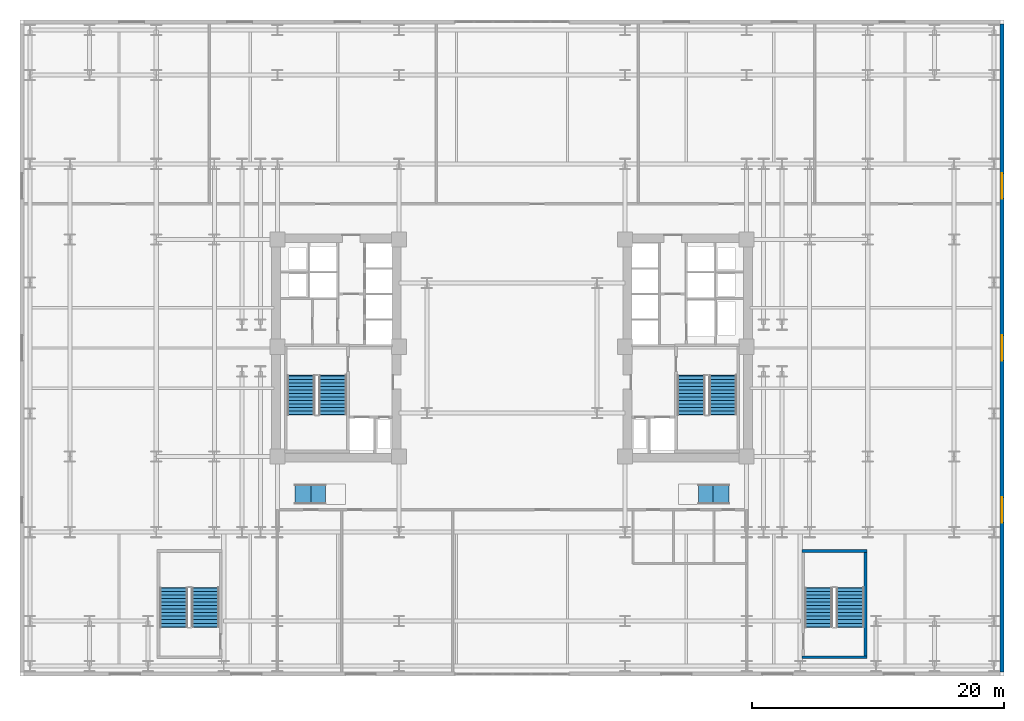
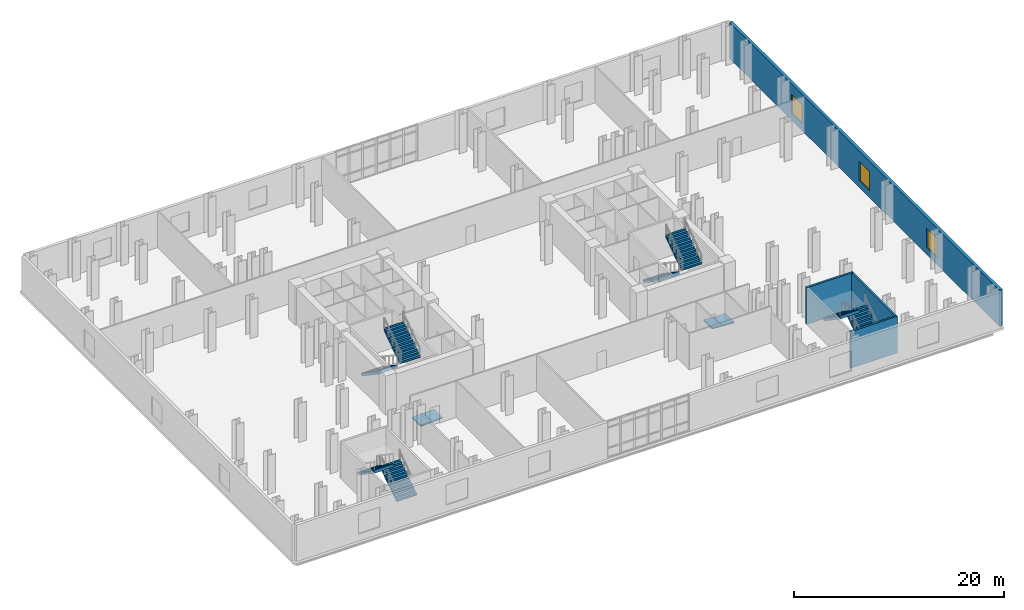
# One storey, part 11 of 13: 8 stair flights, 4 walls, 3 windows, 2 ramps, 2 ramp flights, 3 openings, 4 elements without a shape of their own.
"""IFC4 building model written with IfcOpenShell, lengths in metres."""

import ifcopenshell
import ifcopenshell.guid

model = None  # the IFC model being written
_history = None  # IfcOwnerHistory: only IFC2X3 demands one
_inside = {}  # id of a spatial element -> (the spatial element, [elements in it])
_under = {}  # id of a project, library or spatial element -> (it, [spatial elements below it])
_declared = {}  # id of a project -> (the project, [libraries it declares])
_typed = {}  # id of a type object -> (the type object, [elements of that type])
_made_of = {}  # id of a material, layer set ... -> (it, [elements and type objects made of it])


def new_model(schema):
    """Start an empty IFC model of exactly this schema.

    Asked for "IFC4X3", IfcOpenShell would pick the latest addendum, in which some entities
    have other attributes; the version numbers below select the first issue.
    IFC2X3 requires an IfcOwnerHistory on every rooted entity: one is made here for all.
    """
    global model, _history
    if schema == "IFC4X3":
        model = ifcopenshell.file(schema_version=(4, 3, 0, 0))
    else:
        model = ifcopenshell.file(schema=schema)
    _inside.clear()
    _under.clear()
    _declared.clear()
    _typed.clear()
    _made_of.clear()
    _history = None
    if model.schema == "IFC2X3":
        org = make("IfcOrganization", Name="unknown")
        user = make(
            "IfcPersonAndOrganization",
            ThePerson=make("IfcPerson", FamilyName="unknown"),
            TheOrganization=org,
        )
        app = make(
            "IfcApplication",
            ApplicationDeveloper=org,
            Version="unknown",
            ApplicationFullName="unknown",
            ApplicationIdentifier="unknown",
        )
        _history = make(
            "IfcOwnerHistory",
            OwningUser=user,
            OwningApplication=app,
            ChangeAction="ADDED",
            CreationDate=0,
        )
    return model


def make(cls, **values):
    """One entity of the class cls with the attributes given. An attribute that is None is left unset."""
    return model.create_entity(
        cls, **{name: value for name, value in values.items() if value is not None}
    )


def rooted(cls, **values):
    """An entity with a GlobalId (a new one), such as an element, a storey or a relation."""
    return make(cls, GlobalId=ifcopenshell.guid.new(), OwnerHistory=_history, **values)


def si_unit(unit_type, name, prefix=None):
    """IfcSIUnit, for example si_unit("LENGTHUNIT", "METRE", prefix="MILLI")."""
    return make("IfcSIUnit", UnitType=unit_type, Prefix=prefix, Name=name)


def assignment(units):
    """IfcUnitAssignment: the units of a project."""
    return None if units is None else make("IfcUnitAssignment", Units=units)


def point(xyz):
    """IfcCartesianPoint."""
    return None if xyz is None else make("IfcCartesianPoint", Coordinates=xyz)


def direction(xyz):
    """IfcDirection."""
    return None if xyz is None else make("IfcDirection", DirectionRatios=xyz)


def frame(location, z_axis=None, x_axis=None):
    """IfcAxis2Placement3D, a coordinate frame: its origin and axes. An axis left out is left unset."""
    return make(
        "IfcAxis2Placement3D",
        Location=point(location),
        Axis=direction(z_axis),
        RefDirection=direction(x_axis),
    )


def frame_2d(location, x_axis=None):
    """IfcAxis2Placement2D, a coordinate frame in the plane: its origin and x axis."""
    return make(
        "IfcAxis2Placement2D", Location=point(location), RefDirection=direction(x_axis)
    )


def origin():
    """The frame at (0, 0, 0) with its axes left unset."""
    return frame((0.0, 0.0, 0.0))


def origin_2d():
    """The frame at (0, 0) in the plane with its x axis left unset."""
    return frame_2d((0.0, 0.0))


def place(relative_to, where):
    """IfcLocalPlacement: puts the frame where relative to a parent placement (None: the world)."""
    return make(
        "IfcLocalPlacement", PlacementRelTo=relative_to, RelativePlacement=where
    )


def context(
    kind, dimensions, precision=None, world=None, true_north=None, identifier=None
):
    """IfcGeometricRepresentationContext, for example the 3D "Model" context."""
    return make(
        "IfcGeometricRepresentationContext",
        ContextIdentifier=identifier,
        ContextType=kind,
        CoordinateSpaceDimension=dimensions,
        Precision=precision,
        WorldCoordinateSystem=world,
        TrueNorth=true_north,
    )


def subcontext(parent, identifier, kind, view, scale=None):
    """IfcGeometricRepresentationSubContext, for example "Body" below "Model"."""
    return make(
        "IfcGeometricRepresentationSubContext",
        ContextIdentifier=identifier,
        ContextType=kind,
        ParentContext=parent,
        TargetScale=scale,
        TargetView=view,
    )


def project(units=None, contexts=None):
    """IfcProject with its units and contexts."""
    return rooted(
        "IfcProject",
        Name="project",
        RepresentationContexts=contexts,
        UnitsInContext=assignment(units),
    )


def spatial(cls, under=None, at=None, **own):
    """A site, building, storey or space (cls), placed at a placement, below another one or the project."""
    s = rooted(cls, ObjectPlacement=at, **own)
    if under is not None:
        _under.setdefault(under.id(), (under, []))[1].append(s)
    return s


def polyline(points):
    """IfcPolyline through the points."""
    return make("IfcPolyline", Points=[point(p) for p in points])


def profile(cls, at=None, kind="AREA", **sizes):
    """A parametric profile (cls). Its sizes go by their IFC names, for example OverallWidth=200.0."""
    return make(cls, ProfileType=kind, Position=at, **sizes)


def rectangle(**sizes):
    """IfcRectangleProfileDef."""
    return profile("IfcRectangleProfileDef", **sizes)


def outline(outer, holes=None, kind="AREA"):
    """IfcArbitraryClosedProfileDef: a profile drawn as a closed curve; with holes, ...WithVoids."""
    if holes is None:
        return make("IfcArbitraryClosedProfileDef", ProfileType=kind, OuterCurve=outer)
    return make(
        "IfcArbitraryProfileDefWithVoids",
        ProfileType=kind,
        OuterCurve=outer,
        InnerCurves=holes,
    )


def extrude(swept, where, along, depth):
    """IfcExtrudedAreaSolid: the profile swept, set in the frame where, extruded along a direction by depth."""
    return make(
        "IfcExtrudedAreaSolid",
        SweptArea=swept,
        Position=where,
        ExtrudedDirection=direction(along),
        Depth=depth,
    )


def shape(context_of_items, identifier, shape_type, items):
    """IfcShapeRepresentation: the items that make up one representation, for example the "Body"."""
    return make(
        "IfcShapeRepresentation",
        ContextOfItems=context_of_items,
        RepresentationIdentifier=identifier,
        RepresentationType=shape_type,
        Items=items,
    )


def material(Name=None, Category=None):
    """IfcMaterial."""
    return make("IfcMaterial", Name=Name, Category=Category)


def layer(
    of_material, thickness, ventilated=None, Name=None, Category=None, Priority=None
):
    """IfcMaterialLayer: one layer of a wall or slab, of a material (None: an air gap)."""
    return make(
        "IfcMaterialLayer",
        Material=of_material,
        LayerThickness=thickness,
        IsVentilated=ventilated,
        Name=Name,
        Category=Category,
        Priority=Priority,
    )


def layer_set(layers, Name=None):
    """IfcMaterialLayerSet."""
    return make("IfcMaterialLayerSet", MaterialLayers=layers, LayerSetName=Name)


def made_of(thing, what):
    """Note that an element or type object is made of a material, layer set ...; save() writes the relation."""
    if what is not None:
        _made_of.setdefault(what.id(), (what, []))[1].append(thing)
    return thing


def type_object(cls, material=None, **own):
    """A type object (cls), such as IfcWallType, which elements share."""
    return made_of(rooted(cls, **own), material)


def element(
    cls,
    number,
    at=None,
    inside=None,
    cuts=None,
    type_object=None,
    material=None,
    context=None,
    identifier="Body",
    shape_type=None,
    held_by="IfcProductDefinitionShape",
    body=None,
    shapes=None,
    **own,
):
    """One element of the class cls, such as IfcWall. Its Tag is "e" and its number.

    at: its placement. inside: the storey or other place that contains it. cuts: it is an
    opening in that element (IfcRelVoidsElement). A single representation is given by context,
    identifier, shape_type and body (its items); several are given by shapes. held_by: the class
    of the entity that holds the representations. save() writes the other relations.
    """
    e = rooted(cls, Tag="e%d" % number, ObjectPlacement=at, **own)
    if body is not None:
        shapes = [shape(context, identifier, shape_type, body)]
    if shapes is not None:
        e.Representation = make(held_by, Representations=shapes)
    if inside is not None:
        _inside.setdefault(inside.id(), (inside, []))[1].append(e)
    if cuts is not None:
        rooted(
            "IfcRelVoidsElement", RelatingBuildingElement=cuts, RelatedOpeningElement=e
        )
    if type_object is not None:
        _typed.setdefault(type_object.id(), (type_object, []))[1].append(e)
    return made_of(e, material)


def fill(opening, filler):
    """IfcRelFillsElement: the door or window that sits in an opening."""
    return rooted(
        "IfcRelFillsElement",
        RelatingOpeningElement=opening,
        RelatedBuildingElement=filler,
    )


def aggregate(whole, parts):
    """IfcRelAggregates: a whole, such as a stair, and the parts it consists of."""
    return rooted("IfcRelAggregates", RelatingObject=whole, RelatedObjects=parts)


def save(model, path):
    """Write the relations noted so far, then the file.

    IfcRelAggregates (storeys below a building ...), IfcRelContainedInSpatialStructure (elements
    in a storey), IfcRelDefinesByType, IfcRelAssociatesMaterial and IfcRelDeclares: one each for
    every whole, place, type object, material and project.
    """
    for whole, parts in _under.values():
        aggregate(whole, parts)
    for where, things in _inside.values():
        rooted(
            "IfcRelContainedInSpatialStructure",
            RelatedElements=things,
            RelatingStructure=where,
        )
    for kind, things in _typed.values():
        rooted("IfcRelDefinesByType", RelatedObjects=things, RelatingType=kind)
    for what, things in _made_of.values():
        rooted("IfcRelAssociatesMaterial", RelatedObjects=things, RelatingMaterial=what)
    for by, libraries in _declared.values():
        rooted("IfcRelDeclares", RelatingContext=by, RelatedDefinitions=libraries)
    model.write(path)


model = new_model("IFC4")

# Units and contexts
model_context = context("Model", 3, precision=1e-05, world=origin(), true_north=direction((0.0, 1.0)))
body_context = subcontext(model_context, "Body", "Model", "MODEL_VIEW")
ifc_project = project(units=[si_unit("LENGTHUNIT", "METRE"), si_unit("AREAUNIT", "SQUARE_METRE"), si_unit("VOLUMEUNIT", "CUBIC_METRE"), si_unit("PLANEANGLEUNIT", "RADIAN"), si_unit("MASSUNIT", "GRAM", prefix="KILO")], contexts=[model_context])

# Site, building, storey
site_placement = place(None, origin())
site = spatial("IfcSite", under=ifc_project, at=site_placement, CompositionType="ELEMENT")
building_placement = place(site_placement, origin())
building = spatial("IfcBuilding", under=site, at=building_placement, Name="Velakula Bourse", CompositionType="ELEMENT")
storey_placement = place(building_placement, frame((0.0, 0.0, 5.10009765625)))
storey = spatial("IfcBuildingStorey", under=building, at=storey_placement, Name="L01", CompositionType="ELEMENT", Elevation=5.10009765625)

# Walls
ifc_material_1 = material(Name="Concrete M50 (fck 50 MPa)", Category="concrete")
ifc_layer_1 = layer(ifc_material_1, 0.2099609375, Name="Concrete M50 (fck 50 MPa)", Category="concrete")
ifc_layer_set_1 = layer_set([ifc_layer_1], Name="Concrete M50 (fck 50 MPa)")
wall_type_1 = type_object("IfcWallType", Name="WL-CORE-210", PredefinedType="SHEAR", material=ifc_layer_set_1)
for number, where, z_axis, x_axis, name in (
    (1, (22.989990234375, -24.5048828125, 0.0), (0.0, 0.0, 1.0), (1.0, 0.0, 0.0), "L01 Podium Stair ST-P2 Shear Wall S"),
    (2, (22.989990234375, -16.094970703125, 0.0), (0.0, 0.0, 1.0), (1.0, 0.0, 0.0), "L01 Podium Stair ST-P2 Shear Wall N"),
):
    element("IfcWall", number, at=place(storey_placement, frame(where, z_axis=z_axis, x_axis=x_axis)), inside=storey, type_object=wall_type_1, Name=name, PredefinedType="SHEAR", context=body_context, shape_type="SweptSolid", body=[
        extrude(rectangle(XDim=5.139892578125, YDim=0.2099609375, at=frame_2d((2.56982421875, 0.0))), origin(), (0.0, 0.0, 1.0), 4.25),
    ])
wall_1_placement = place(storey_placement, frame((28.02490234375, -24.39990234375, 0.0), z_axis=(0.0, 0.0, 1.0), x_axis=(0.0, 1.0, 0.0)))
element("IfcWall", 3, at=wall_1_placement, inside=storey, type_object=wall_type_1, Name="L01 Podium Stair ST-P2 Shear Wall E", PredefinedType="SHEAR", context=body_context, shape_type="SweptSolid", body=[
    extrude(rectangle(XDim=8.199951171875, YDim=0.2099609375, at=frame_2d((4.10009765625, 0.0))), origin(), (0.0, 0.0, 1.0), 4.25),
])

# Wall, openings, windows
ifc_material_2 = material(Name="Red kilned clay facing brick masonry", Category="masonry")
ifc_layer_2 = layer(ifc_material_2, 0.320068359375, Name="Red kilned clay facing brick masonry", Category="masonry")
ifc_layer_set_2 = layer_set([ifc_layer_2], Name="Red kilned clay facing brick masonry")
wall_type_2 = type_object("IfcWallType", Name="WL-EXT-BRK-320", PredefinedType="STANDARD", material=ifc_layer_set_2)
wall_2_placement = place(storey_placement, frame((38.840087890625, 25.679931640625, 0.0), z_axis=(0.0, 0.0, 1.0), x_axis=(0.0, -1.0, 0.0)))
wall_2 = element("IfcWall", 4, at=wall_2_placement, inside=storey, type_object=wall_type_2, Name="L01 E Brick Facade Wall", PredefinedType="STANDARD", context=body_context, shape_type="SweptSolid", body=[
    extrude(rectangle(XDim=51.35986328125, YDim=0.320068359375, at=frame_2d((25.679931640625, 0.0))), origin(), (0.0, 0.0, 1.0), 4.22998046875),
])
opening_1_placement = place(wall_2_placement, frame((11.840087890625, 0.0, 0.800048828125)))
opening_1 = element("IfcOpeningElement", 5, at=opening_1_placement, cuts=wall_2, Name="Opening W-07", PredefinedType="OPENING", context=body_context, shape_type="SweptSolid", body=[
    extrude(rectangle(XDim=2.0, YDim=2.199951171875, at=frame_2d((1.0, 1.10009765625))), frame((0.0, 0.169921875, 0.0), z_axis=(0.0, -1.0, 0.0), x_axis=(1.0, 0.0, 0.0)), (0.0, 0.0, 1.0), 0.340087890625),
])
opening_2_placement = place(wall_2_placement, frame((24.679931640625, 0.0, 0.800048828125)))
opening_2 = element("IfcOpeningElement", 6, at=opening_2_placement, cuts=wall_2, Name="Opening W-07", PredefinedType="OPENING", context=body_context, shape_type="SweptSolid", body=[
    extrude(rectangle(XDim=2.0, YDim=2.199951171875, at=frame_2d((1.0, 1.10009765625))), frame((0.0, 0.169921875, 0.0), z_axis=(0.0, -1.0, 0.0), x_axis=(1.0, 0.0, 0.0)), (0.0, 0.0, 1.0), 0.340087890625),
])
opening_3_placement = place(wall_2_placement, frame((37.52001953125, 0.0, 0.800048828125)))
opening_3 = element("IfcOpeningElement", 7, at=opening_3_placement, cuts=wall_2, Name="Opening W-07", PredefinedType="OPENING", context=body_context, shape_type="SweptSolid", body=[
    extrude(rectangle(XDim=2.0, YDim=2.199951171875, at=frame_2d((1.0, 1.10009765625))), frame((0.0, 0.169921875, 0.0), z_axis=(0.0, -1.0, 0.0), x_axis=(1.0, 0.0, 0.0)), (0.0, 0.0, 1.0), 0.340087890625),
])
ifc_material_3 = material(Name="Double-glazed solar-control Low-E glass", Category="glass")
window_type = type_object("IfcWindowType", Name="WIN-POD-2000x2400", PartitioningType="DOUBLE_PANEL_VERTICAL", PredefinedType="WINDOW", material=ifc_material_3)
window_1_placement = place(opening_1_placement, origin())
window_1 = element("IfcWindow", 8, at=window_1_placement, inside=storey, type_object=window_type, Name="L01 Deep-Set Recessed Window 1", OverallHeight=2.199951171875, OverallWidth=2.0, PartitioningType="DOUBLE_PANEL_VERTICAL", PredefinedType="WINDOW", context=body_context, shape_type="SweptSolid", body=[
    extrude(rectangle(XDim=2.0, YDim=2.199951171875, at=frame_2d((1.0, 1.10009765625))), frame((0.0, 0.030029296875, 0.0), z_axis=(0.0, -1.0, 0.0), x_axis=(1.0, 0.0, 0.0)), (0.0, 0.0, 1.0), 0.06005859375),
])
fill(opening_1, window_1)
window_2_placement = place(opening_2_placement, origin())
window_2 = element("IfcWindow", 9, at=window_2_placement, inside=storey, type_object=window_type, Name="L01 Deep-Set Recessed Window 2", OverallHeight=2.199951171875, OverallWidth=2.0, PartitioningType="DOUBLE_PANEL_VERTICAL", PredefinedType="WINDOW", context=body_context, shape_type="SweptSolid", body=[
    extrude(rectangle(XDim=2.0, YDim=2.199951171875, at=frame_2d((1.0, 1.10009765625))), frame((0.0, 0.030029296875, 0.0), z_axis=(0.0, -1.0, 0.0), x_axis=(1.0, 0.0, 0.0)), (0.0, 0.0, 1.0), 0.06005859375),
])
fill(opening_2, window_2)
window_3_placement = place(opening_3_placement, origin())
window_3 = element("IfcWindow", 10, at=window_3_placement, inside=storey, type_object=window_type, Name="L01 Deep-Set Recessed Window 3", OverallHeight=2.199951171875, OverallWidth=2.0, PartitioningType="DOUBLE_PANEL_VERTICAL", PredefinedType="WINDOW", context=body_context, shape_type="SweptSolid", body=[
    extrude(rectangle(XDim=2.0, YDim=2.199951171875, at=frame_2d((1.0, 1.10009765625))), frame((0.0, 0.030029296875, 0.0), z_axis=(0.0, -1.0, 0.0), x_axis=(1.0, 0.0, 0.0)), (0.0, 0.0, 1.0), 0.06005859375),
])
fill(opening_3, window_3)

# Stair, stair flights
ifc_material_4 = material(Name="Concrete M45 (fck 45 MPa)", Category="concrete")
stair_type = type_object("IfcStairType", Name="STR-DOG-435", PredefinedType="HALF_TURN_STAIR", material=ifc_material_4)
stair_1_placement = place(storey_placement, origin())
stair_1 = element("IfcStair", 11, at=stair_1_placement, inside=storey, type_object=stair_type, Name="L01 West Core Exit Stair ST-W1", PredefinedType="HALF_TURN_STAIR")
ifc_layer_3 = layer(ifc_material_4, 0.199951171875, Name="Concrete M45 (fck 45 MPa)", Category="concrete")
ifc_layer_set_3 = layer_set([ifc_layer_3], Name="Concrete M45 (fck 45 MPa)")
stair_flight_type = type_object("IfcStairFlightType", Name="FLT-DOG-435", PredefinedType="STRAIGHT", material=ifc_layer_set_3)
stair_flight_1_placement = place(storey_placement, frame((-16.720947265625, -2.199951171875, 0.0), z_axis=(0.0, 0.0, 1.0), x_axis=(0.0, -1.0, 0.0)))
stair_flight_1 = element("IfcStairFlight", 12, at=stair_flight_1_placement, type_object=stair_flight_type, Name="ST-W1 flight 1", NumberOfRisers=12, NumberOfTreads=11, PredefinedType="STRAIGHT", RiserHeight=0.1875, TreadLength=0.28, context=body_context, shape_type="SweptSolid", body=[
    extrude(outline(polyline([(-0.044921875, -0.0400390625), (-0.044921875, -0.036865234375), (-0.044921875, -0.033935546875), (-0.044921875, -0.03076171875), (-0.044921875, -0.027587890625), (-0.044921875, -0.024658203125), (-0.044921875, -0.021484375), (-0.044921875, -0.0185546875), (-0.044921875, -0.015380859375), (-0.044921875, -0.01220703125), (-0.044921875, -0.00927734375), (-0.044921875, -0.006103515625), (-0.044921875, -0.003173828125), (-0.044921875, 0.0), (0.0, 0.0), (0.0, 0.1875), (0.280029296875, 0.1875), (0.280029296875, 0.375), (0.56005859375, 0.375), (0.56005859375, 0.5625), (0.840087890625, 0.5625), (0.840087890625, 0.75), (1.1201171875, 0.75), (1.1201171875, 0.9375), (1.39990234375, 0.9375), (1.39990234375, 1.125), (1.679931640625, 1.125), (1.679931640625, 1.3125), (1.9599609375, 1.3125), (1.9599609375, 1.5), (2.239990234375, 1.5), (2.239990234375, 1.6875), (2.52001953125, 1.6875), (2.52001953125, 1.875), (2.800048828125, 1.875), (2.800048828125, 2.0625), (3.080078125, 2.0625), (3.080078125, 2.25), (3.125, 2.25), (3.125, 2.2236328125), (3.125, 2.197509765625), (3.125, 2.171142578125), (3.125, 2.144775390625), (3.125, 2.11865234375), (3.125, 2.09228515625), (3.125, 2.066162109375), (3.125, 2.039794921875), (3.125, 2.013427734375), (3.125, 1.9873046875), (3.125, 1.9609375), (3.125, 1.9345703125), (3.125, 1.908447265625), (3.125, 1.882080078125), (0.26953125, -0.0400390625), (-0.044921875, -0.0400390625)])), frame((0.0, 1.09912109375, 0.0), z_axis=(0.0, -1.0, 0.0), x_axis=(1.0, 0.0, 0.0)), (0.0, 0.0, 1.0), 2.197998046875),
])
stair_flight_2_placement = place(storey_placement, frame((-14.198974609375, -5.280029296875, 2.25), z_axis=(0.0, 0.0, 1.0), x_axis=(0.0, 1.0, 0.0)))
stair_flight_2 = element("IfcStairFlight", 13, at=stair_flight_2_placement, type_object=stair_flight_type, Name="ST-W1 flight 2", NumberOfRisers=12, NumberOfTreads=11, PredefinedType="STRAIGHT", RiserHeight=0.1875, TreadLength=0.28, context=body_context, shape_type="SweptSolid", body=[
    extrude(outline(polyline([(-0.044921875, -0.0400390625), (-0.044921875, -0.036865234375), (-0.044921875, -0.033935546875), (-0.044921875, -0.03076171875), (-0.044921875, -0.027587890625), (-0.044921875, -0.024658203125), (-0.044921875, -0.021484375), (-0.044921875, -0.0185546875), (-0.044921875, -0.015380859375), (-0.044921875, -0.01220703125), (-0.044921875, -0.00927734375), (-0.044921875, -0.006103515625), (-0.044921875, -0.003173828125), (-0.044921875, 0.0), (0.0, 0.0), (0.0, 0.1875), (0.280029296875, 0.1875), (0.280029296875, 0.375), (0.56005859375, 0.375), (0.56005859375, 0.5625), (0.840087890625, 0.5625), (0.840087890625, 0.75), (1.1201171875, 0.75), (1.1201171875, 0.9375), (1.39990234375, 0.9375), (1.39990234375, 1.125), (1.679931640625, 1.125), (1.679931640625, 1.3125), (1.9599609375, 1.3125), (1.9599609375, 1.5), (2.239990234375, 1.5), (2.239990234375, 1.6875), (2.52001953125, 1.6875), (2.52001953125, 1.875), (2.800048828125, 1.875), (2.800048828125, 2.0625), (3.080078125, 2.0625), (3.080078125, 2.25), (3.125, 2.25), (3.125, 2.2236328125), (3.125, 2.197509765625), (3.125, 2.171142578125), (3.125, 2.144775390625), (3.125, 2.11865234375), (3.125, 2.09228515625), (3.125, 2.066162109375), (3.125, 2.039794921875), (3.125, 2.013427734375), (3.125, 1.9873046875), (3.125, 1.9609375), (3.125, 1.9345703125), (3.125, 1.908447265625), (3.125, 1.882080078125), (0.26953125, -0.0400390625), (-0.044921875, -0.0400390625)])), frame((0.0, 1.09912109375, 0.0), z_axis=(0.0, -1.0, 0.0), x_axis=(1.0, 0.0, 0.0)), (0.0, 0.0, 1.0), 2.197998046875),
])
aggregate(stair_1, [stair_flight_1, stair_flight_2])

stair_2_placement = place(storey_placement, origin())
stair_2 = element("IfcStair", 14, at=stair_2_placement, inside=storey, type_object=stair_type, Name="L01 East Core Exit Stair ST-E1", PredefinedType="HALF_TURN_STAIR")
stair_flight_3_placement = place(storey_placement, frame((14.198974609375, -2.199951171875, 0.0), z_axis=(0.0, 0.0, 1.0), x_axis=(0.0, -1.0, 0.0)))
stair_flight_3 = element("IfcStairFlight", 15, at=stair_flight_3_placement, type_object=stair_flight_type, Name="ST-E1 flight 1", NumberOfRisers=12, NumberOfTreads=11, PredefinedType="STRAIGHT", RiserHeight=0.1875, TreadLength=0.28, context=body_context, shape_type="SweptSolid", body=[
    extrude(outline(polyline([(-0.044921875, -0.0400390625), (-0.044921875, -0.036865234375), (-0.044921875, -0.033935546875), (-0.044921875, -0.03076171875), (-0.044921875, -0.027587890625), (-0.044921875, -0.024658203125), (-0.044921875, -0.021484375), (-0.044921875, -0.0185546875), (-0.044921875, -0.015380859375), (-0.044921875, -0.01220703125), (-0.044921875, -0.00927734375), (-0.044921875, -0.006103515625), (-0.044921875, -0.003173828125), (-0.044921875, 0.0), (0.0, 0.0), (0.0, 0.1875), (0.280029296875, 0.1875), (0.280029296875, 0.375), (0.56005859375, 0.375), (0.56005859375, 0.5625), (0.840087890625, 0.5625), (0.840087890625, 0.75), (1.1201171875, 0.75), (1.1201171875, 0.9375), (1.39990234375, 0.9375), (1.39990234375, 1.125), (1.679931640625, 1.125), (1.679931640625, 1.3125), (1.9599609375, 1.3125), (1.9599609375, 1.5), (2.239990234375, 1.5), (2.239990234375, 1.6875), (2.52001953125, 1.6875), (2.52001953125, 1.875), (2.800048828125, 1.875), (2.800048828125, 2.0625), (3.080078125, 2.0625), (3.080078125, 2.25), (3.125, 2.25), (3.125, 2.2236328125), (3.125, 2.197509765625), (3.125, 2.171142578125), (3.125, 2.144775390625), (3.125, 2.11865234375), (3.125, 2.09228515625), (3.125, 2.066162109375), (3.125, 2.039794921875), (3.125, 2.013427734375), (3.125, 1.9873046875), (3.125, 1.9609375), (3.125, 1.9345703125), (3.125, 1.908447265625), (3.125, 1.882080078125), (0.26953125, -0.0400390625), (-0.044921875, -0.0400390625)])), frame((0.0, 1.09912109375, 0.0), z_axis=(0.0, -1.0, 0.0), x_axis=(1.0, 0.0, 0.0)), (0.0, 0.0, 1.0), 2.197998046875),
])
stair_flight_4_placement = place(storey_placement, frame((16.720947265625, -5.280029296875, 2.25), z_axis=(0.0, 0.0, 1.0), x_axis=(0.0, 1.0, 0.0)))
stair_flight_4 = element("IfcStairFlight", 16, at=stair_flight_4_placement, type_object=stair_flight_type, Name="ST-E1 flight 2", NumberOfRisers=12, NumberOfTreads=11, PredefinedType="STRAIGHT", RiserHeight=0.1875, TreadLength=0.28, context=body_context, shape_type="SweptSolid", body=[
    extrude(outline(polyline([(-0.044921875, -0.0400390625), (-0.044921875, -0.036865234375), (-0.044921875, -0.033935546875), (-0.044921875, -0.03076171875), (-0.044921875, -0.027587890625), (-0.044921875, -0.024658203125), (-0.044921875, -0.021484375), (-0.044921875, -0.0185546875), (-0.044921875, -0.015380859375), (-0.044921875, -0.01220703125), (-0.044921875, -0.00927734375), (-0.044921875, -0.006103515625), (-0.044921875, -0.003173828125), (-0.044921875, 0.0), (0.0, 0.0), (0.0, 0.1875), (0.280029296875, 0.1875), (0.280029296875, 0.375), (0.56005859375, 0.375), (0.56005859375, 0.5625), (0.840087890625, 0.5625), (0.840087890625, 0.75), (1.1201171875, 0.75), (1.1201171875, 0.9375), (1.39990234375, 0.9375), (1.39990234375, 1.125), (1.679931640625, 1.125), (1.679931640625, 1.3125), (1.9599609375, 1.3125), (1.9599609375, 1.5), (2.239990234375, 1.5), (2.239990234375, 1.6875), (2.52001953125, 1.6875), (2.52001953125, 1.875), (2.800048828125, 1.875), (2.800048828125, 2.0625), (3.080078125, 2.0625), (3.080078125, 2.25), (3.125, 2.25), (3.125, 2.2236328125), (3.125, 2.197509765625), (3.125, 2.171142578125), (3.125, 2.144775390625), (3.125, 2.11865234375), (3.125, 2.09228515625), (3.125, 2.066162109375), (3.125, 2.039794921875), (3.125, 2.013427734375), (3.125, 1.9873046875), (3.125, 1.9609375), (3.125, 1.9345703125), (3.125, 1.908447265625), (3.125, 1.882080078125), (0.26953125, -0.0400390625), (-0.044921875, -0.0400390625)])), frame((0.0, 1.09912109375, 0.0), z_axis=(0.0, -1.0, 0.0), x_axis=(1.0, 0.0, 0.0)), (0.0, 0.0, 1.0), 2.197998046875),
])
aggregate(stair_2, [stair_flight_3, stair_flight_4])

stair_3_placement = place(storey_placement, origin())
stair_3 = element("IfcStair", 17, at=stair_3_placement, inside=storey, type_object=stair_type, Name="L01 West Podium Exit Stair ST-P1", PredefinedType="HALF_TURN_STAIR")
stair_flight_5_placement = place(storey_placement, frame((-24.299072265625, -22.10009765625, 0.0), z_axis=(0.0, 0.0, 1.0), x_axis=(0.0, 1.0, 0.0)))
stair_flight_5 = element("IfcStairFlight", 18, at=stair_flight_5_placement, type_object=stair_flight_type, Name="ST-P1 flight 1", NumberOfRisers=12, NumberOfTreads=11, PredefinedType="STRAIGHT", RiserHeight=0.1875, TreadLength=0.28, context=body_context, shape_type="SweptSolid", body=[
    extrude(outline(polyline([(-0.044921875, -0.0400390625), (-0.044921875, -0.036865234375), (-0.044921875, -0.033935546875), (-0.044921875, -0.03076171875), (-0.044921875, -0.027587890625), (-0.044921875, -0.024658203125), (-0.044921875, -0.021484375), (-0.044921875, -0.0185546875), (-0.044921875, -0.015380859375), (-0.044921875, -0.01220703125), (-0.044921875, -0.00927734375), (-0.044921875, -0.006103515625), (-0.044921875, -0.003173828125), (-0.044921875, 0.0), (0.0, 0.0), (0.0, 0.1875), (0.280029296875, 0.1875), (0.280029296875, 0.375), (0.56005859375, 0.375), (0.56005859375, 0.5625), (0.840087890625, 0.5625), (0.840087890625, 0.75), (1.1201171875, 0.75), (1.1201171875, 0.9375), (1.39990234375, 0.9375), (1.39990234375, 1.125), (1.679931640625, 1.125), (1.679931640625, 1.3125), (1.9599609375, 1.3125), (1.9599609375, 1.5), (2.239990234375, 1.5), (2.239990234375, 1.6875), (2.52001953125, 1.6875), (2.52001953125, 1.875), (2.800048828125, 1.875), (2.800048828125, 2.0625), (3.080078125, 2.0625), (3.080078125, 2.25), (3.125, 2.25), (3.125, 2.2236328125), (3.125, 2.197509765625), (3.125, 2.171142578125), (3.125, 2.144775390625), (3.125, 2.11865234375), (3.125, 2.09228515625), (3.125, 2.066162109375), (3.125, 2.039794921875), (3.125, 2.013427734375), (3.125, 1.9873046875), (3.125, 1.9609375), (3.125, 1.9345703125), (3.125, 1.908447265625), (3.125, 1.882080078125), (0.26953125, -0.0400390625), (-0.044921875, -0.0400390625)])), frame((0.0, 1.09912109375, 0.0), z_axis=(0.0, -1.0, 0.0), x_axis=(1.0, 0.0, 0.0)), (0.0, 0.0, 1.0), 2.197998046875),
])
stair_flight_6_placement = place(storey_placement, frame((-26.821044921875, -19.02001953125, 2.25), z_axis=(0.0, 0.0, 1.0), x_axis=(0.0, -1.0, 0.0)))
stair_flight_6 = element("IfcStairFlight", 19, at=stair_flight_6_placement, type_object=stair_flight_type, Name="ST-P1 flight 2", NumberOfRisers=12, NumberOfTreads=11, PredefinedType="STRAIGHT", RiserHeight=0.1875, TreadLength=0.28, context=body_context, shape_type="SweptSolid", body=[
    extrude(outline(polyline([(-0.044921875, -0.0400390625), (-0.044921875, -0.036865234375), (-0.044921875, -0.033935546875), (-0.044921875, -0.03076171875), (-0.044921875, -0.027587890625), (-0.044921875, -0.024658203125), (-0.044921875, -0.021484375), (-0.044921875, -0.0185546875), (-0.044921875, -0.015380859375), (-0.044921875, -0.01220703125), (-0.044921875, -0.00927734375), (-0.044921875, -0.006103515625), (-0.044921875, -0.003173828125), (-0.044921875, 0.0), (0.0, 0.0), (0.0, 0.1875), (0.280029296875, 0.1875), (0.280029296875, 0.375), (0.56005859375, 0.375), (0.56005859375, 0.5625), (0.840087890625, 0.5625), (0.840087890625, 0.75), (1.1201171875, 0.75), (1.1201171875, 0.9375), (1.39990234375, 0.9375), (1.39990234375, 1.125), (1.679931640625, 1.125), (1.679931640625, 1.3125), (1.9599609375, 1.3125), (1.9599609375, 1.5), (2.239990234375, 1.5), (2.239990234375, 1.6875), (2.52001953125, 1.6875), (2.52001953125, 1.875), (2.800048828125, 1.875), (2.800048828125, 2.0625), (3.080078125, 2.0625), (3.080078125, 2.25), (3.125, 2.25), (3.125, 2.2236328125), (3.125, 2.197509765625), (3.125, 2.171142578125), (3.125, 2.144775390625), (3.125, 2.11865234375), (3.125, 2.09228515625), (3.125, 2.066162109375), (3.125, 2.039794921875), (3.125, 2.013427734375), (3.125, 1.9873046875), (3.125, 1.9609375), (3.125, 1.9345703125), (3.125, 1.908447265625), (3.125, 1.882080078125), (0.26953125, -0.0400390625), (-0.044921875, -0.0400390625)])), frame((0.0, 1.09912109375, 0.0), z_axis=(0.0, -1.0, 0.0), x_axis=(1.0, 0.0, 0.0)), (0.0, 0.0, 1.0), 2.197998046875),
])
aggregate(stair_3, [stair_flight_5, stair_flight_6])

stair_4_placement = place(storey_placement, origin())
stair_4 = element("IfcStair", 20, at=stair_4_placement, inside=storey, type_object=stair_type, Name="L01 East Podium Exit Stair ST-P2", PredefinedType="HALF_TURN_STAIR")
stair_flight_7_placement = place(storey_placement, frame((26.821044921875, -22.10009765625, 0.0), z_axis=(0.0, 0.0, 1.0), x_axis=(0.0, 1.0, 0.0)))
stair_flight_7 = element("IfcStairFlight", 21, at=stair_flight_7_placement, type_object=stair_flight_type, Name="ST-P2 flight 1", NumberOfRisers=12, NumberOfTreads=11, PredefinedType="STRAIGHT", RiserHeight=0.1875, TreadLength=0.28, context=body_context, shape_type="SweptSolid", body=[
    extrude(outline(polyline([(-0.044921875, -0.0400390625), (-0.044921875, -0.036865234375), (-0.044921875, -0.033935546875), (-0.044921875, -0.03076171875), (-0.044921875, -0.027587890625), (-0.044921875, -0.024658203125), (-0.044921875, -0.021484375), (-0.044921875, -0.0185546875), (-0.044921875, -0.015380859375), (-0.044921875, -0.01220703125), (-0.044921875, -0.00927734375), (-0.044921875, -0.006103515625), (-0.044921875, -0.003173828125), (-0.044921875, 0.0), (0.0, 0.0), (0.0, 0.1875), (0.280029296875, 0.1875), (0.280029296875, 0.375), (0.56005859375, 0.375), (0.56005859375, 0.5625), (0.840087890625, 0.5625), (0.840087890625, 0.75), (1.1201171875, 0.75), (1.1201171875, 0.9375), (1.39990234375, 0.9375), (1.39990234375, 1.125), (1.679931640625, 1.125), (1.679931640625, 1.3125), (1.9599609375, 1.3125), (1.9599609375, 1.5), (2.239990234375, 1.5), (2.239990234375, 1.6875), (2.52001953125, 1.6875), (2.52001953125, 1.875), (2.800048828125, 1.875), (2.800048828125, 2.0625), (3.080078125, 2.0625), (3.080078125, 2.25), (3.125, 2.25), (3.125, 2.2236328125), (3.125, 2.197509765625), (3.125, 2.171142578125), (3.125, 2.144775390625), (3.125, 2.11865234375), (3.125, 2.09228515625), (3.125, 2.066162109375), (3.125, 2.039794921875), (3.125, 2.013427734375), (3.125, 1.9873046875), (3.125, 1.9609375), (3.125, 1.9345703125), (3.125, 1.908447265625), (3.125, 1.882080078125), (0.26953125, -0.0400390625), (-0.044921875, -0.0400390625)])), frame((0.0, 1.09912109375, 0.0), z_axis=(0.0, -1.0, 0.0), x_axis=(1.0, 0.0, 0.0)), (0.0, 0.0, 1.0), 2.197998046875),
])
stair_flight_8_placement = place(storey_placement, frame((24.299072265625, -19.02001953125, 2.25), z_axis=(0.0, 0.0, 1.0), x_axis=(0.0, -1.0, 0.0)))
stair_flight_8 = element("IfcStairFlight", 22, at=stair_flight_8_placement, type_object=stair_flight_type, Name="ST-P2 flight 2", NumberOfRisers=12, NumberOfTreads=11, PredefinedType="STRAIGHT", RiserHeight=0.1875, TreadLength=0.28, context=body_context, shape_type="SweptSolid", body=[
    extrude(outline(polyline([(-0.044921875, -0.0400390625), (-0.044921875, -0.036865234375), (-0.044921875, -0.033935546875), (-0.044921875, -0.03076171875), (-0.044921875, -0.027587890625), (-0.044921875, -0.024658203125), (-0.044921875, -0.021484375), (-0.044921875, -0.0185546875), (-0.044921875, -0.015380859375), (-0.044921875, -0.01220703125), (-0.044921875, -0.00927734375), (-0.044921875, -0.006103515625), (-0.044921875, -0.003173828125), (-0.044921875, 0.0), (0.0, 0.0), (0.0, 0.1875), (0.280029296875, 0.1875), (0.280029296875, 0.375), (0.56005859375, 0.375), (0.56005859375, 0.5625), (0.840087890625, 0.5625), (0.840087890625, 0.75), (1.1201171875, 0.75), (1.1201171875, 0.9375), (1.39990234375, 0.9375), (1.39990234375, 1.125), (1.679931640625, 1.125), (1.679931640625, 1.3125), (1.9599609375, 1.3125), (1.9599609375, 1.5), (2.239990234375, 1.5), (2.239990234375, 1.6875), (2.52001953125, 1.6875), (2.52001953125, 1.875), (2.800048828125, 1.875), (2.800048828125, 2.0625), (3.080078125, 2.0625), (3.080078125, 2.25), (3.125, 2.25), (3.125, 2.2236328125), (3.125, 2.197509765625), (3.125, 2.171142578125), (3.125, 2.144775390625), (3.125, 2.11865234375), (3.125, 2.09228515625), (3.125, 2.066162109375), (3.125, 2.039794921875), (3.125, 2.013427734375), (3.125, 1.9873046875), (3.125, 1.9609375), (3.125, 1.9345703125), (3.125, 1.908447265625), (3.125, 1.882080078125), (0.26953125, -0.0400390625), (-0.044921875, -0.0400390625)])), frame((0.0, 1.09912109375, 0.0), z_axis=(0.0, -1.0, 0.0), x_axis=(1.0, 0.0, 0.0)), (0.0, 0.0, 1.0), 2.197998046875),
])
aggregate(stair_4, [stair_flight_7, stair_flight_8])

# Ramp flight
ifc_material_5 = material(Name="Concrete M40 (fck 40 MPa)", Category="concrete")
ifc_layer_4 = layer(ifc_material_5, 0.199951171875, Name="Concrete M40 (fck 40 MPa)", Category="concrete")
ifc_layer_set_4 = layer_set([ifc_layer_4], Name="Concrete M40 (fck 40 MPa)")
ramp_flight_type = type_object("IfcRampFlightType", Name="RFL-PED-1800", PredefinedType="STRAIGHT", material=ifc_layer_set_4)
ramp_flight_1_placement = place(storey_placement, frame((-17.199951171875, -12.39990234375, 0.0), z_axis=(-0.062340359935, 0.0, 0.998054948148), x_axis=(0.998054948148, 0.0, 0.062340359935)))
ramp_flight_1 = element("IfcRampFlight", 23, at=ramp_flight_1_placement, type_object=ramp_flight_type, Name="L01 West Concourse Step-Free Ramp Flight 1", PredefinedType="STRAIGHT", context=body_context, shape_type="SweptSolid", body=[
    extrude(outline(polyline([(0.0, 0.0), (2.404579375316707, 0.0), (2.404579375316707, 1.599853515625), (0.0, 1.599853515625), (0.0, 0.0)])), origin(), (0.0, 0.0, -1.0), 0.139892578125),
])

ramp_flight_2_placement = place(storey_placement, frame((14.800048828125, -12.39990234375, 0.14990234375), z_axis=(0.062340359935, 0.0, 0.998054948148), x_axis=(0.998054948148, 0.0, -0.062340359935)))
ramp_flight_2 = element("IfcRampFlight", 24, at=ramp_flight_2_placement, type_object=ramp_flight_type, Name="L01 East Concourse Step-Free Ramp Flight 1", PredefinedType="STRAIGHT", context=body_context, shape_type="SweptSolid", body=[
    extrude(outline(polyline([(0.0, 0.0), (2.404579375316707, 0.0), (2.404579375316707, 1.599853515625), (0.0, 1.599853515625), (0.0, 0.0)])), origin(), (0.0, 0.0, -1.0), 0.139892578125),
])

# Ramp
ramp_type = type_object("IfcRampType", Name="RMP-PED-1800", PredefinedType="STRAIGHT_RUN_RAMP", material=ifc_material_5)
ramp_1_placement = place(storey_placement, frame((-16.0, -11.60009765625, -0.000244140625), z_axis=(0.0, 0.0, 1.0), x_axis=(1.0, 0.0, 0.0)))
ramp_1 = element("IfcRamp", 25, at=ramp_1_placement, inside=storey, type_object=ramp_type, Name="L01 West Concourse Step-Free Ramp", PredefinedType="STRAIGHT_RUN_RAMP", context=body_context, shape_type="SweptSolid", body=[
    extrude(rectangle(XDim=2.39990234375, YDim=1.60009765625, at=origin_2d()), origin(), (0.0, 0.0, 1.0), 0.080078125),
])

aggregate(ramp_1, [ramp_flight_1])

ramp_2_placement = place(storey_placement, frame((16.0, -11.60009765625, -0.000244140625), z_axis=(0.0, 0.0, 1.0), x_axis=(1.0, 0.0, 0.0)))
ramp_2 = element("IfcRamp", 26, at=ramp_2_placement, inside=storey, type_object=ramp_type, Name="L01 East Concourse Step-Free Ramp", PredefinedType="STRAIGHT_RUN_RAMP", context=body_context, shape_type="SweptSolid", body=[
    extrude(rectangle(XDim=2.39990234375, YDim=1.60009765625, at=origin_2d()), origin(), (0.0, 0.0, 1.0), 0.080078125),
])

aggregate(ramp_2, [ramp_flight_2])

save(model, "model.ifc")
